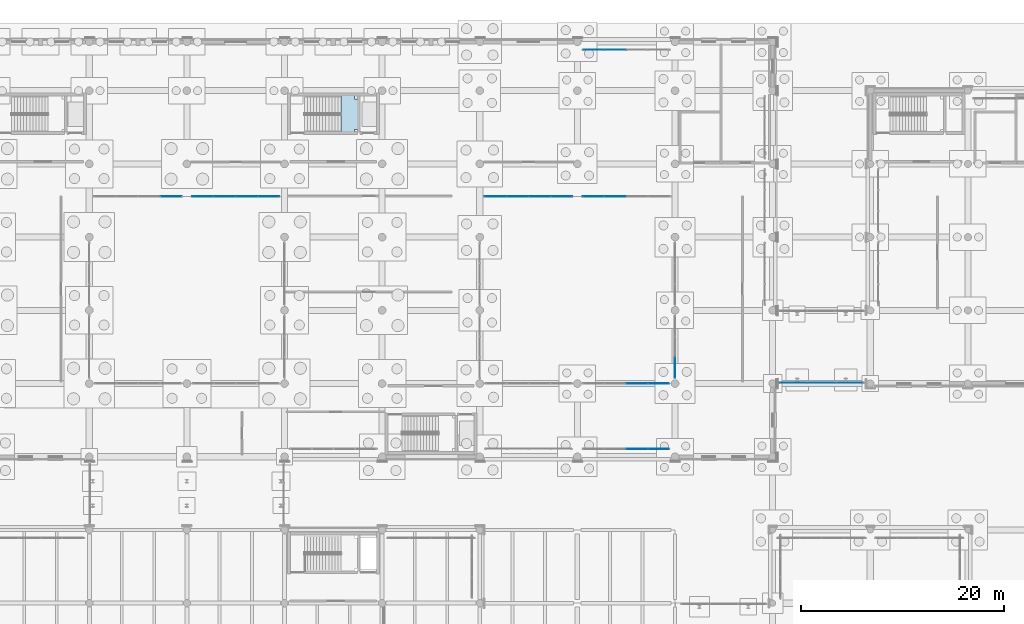
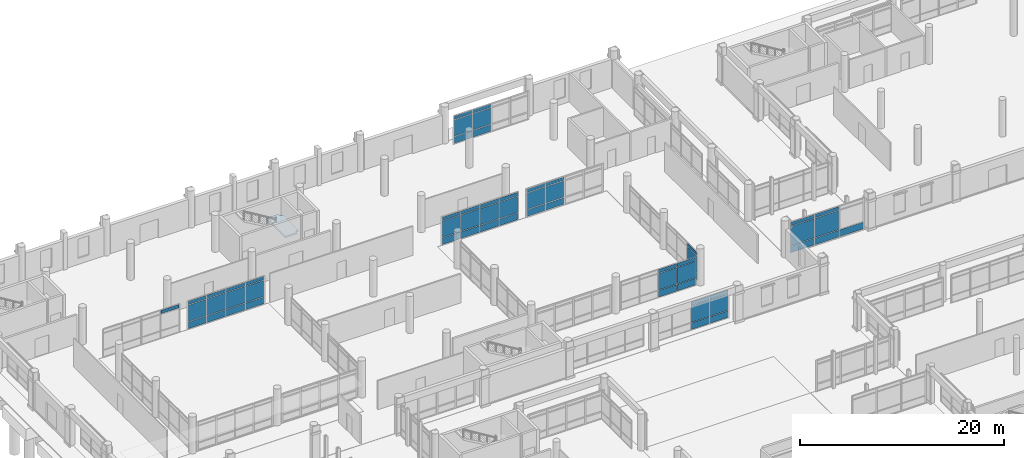
# One storey, part 151 of 196: 59 plates, 1 slab, 10 elements without a shape of their own.
"""IFC4 building model written with IfcOpenShell, lengths in metres."""

from ifc_helpers import new_model, si_unit, direction, frame, origin, origin_2d, place, context, subcontext, project, spatial, polyline, rectangle, outline, extrude, material, layer, layer_set, type_object, element, aggregate, save


model = new_model("IFC4")

# Units and contexts
model_context = context("Model", 3, precision=1e-05, world=origin(), true_north=direction((0.0, 1.0)))
body_context = subcontext(model_context, "Body", "Model", "MODEL_VIEW")
ifc_project = project(units=[si_unit("LENGTHUNIT", "METRE"), si_unit("AREAUNIT", "SQUARE_METRE"), si_unit("VOLUMEUNIT", "CUBIC_METRE"), si_unit("PLANEANGLEUNIT", "RADIAN"), si_unit("MASSUNIT", "GRAM", prefix="KILO")], contexts=[model_context])

# Site, building, storey
site_placement = place(None, origin())
site = spatial("IfcSite", under=ifc_project, at=site_placement, CompositionType="ELEMENT")
building_placement = place(site_placement, origin())
building = spatial("IfcBuilding", under=site, at=building_placement, Name="Asteropetra Specialist Clinic", CompositionType="ELEMENT")
storey_placement = place(building_placement, origin())
storey = spatial("IfcBuildingStorey", under=building, at=storey_placement, Name="L00", CompositionType="ELEMENT", Elevation=0.0)

# Curtain wall, plates
ifc_material_1 = material(Name="Aluminium and low-E glass", Category="aluminium")
ifc_layer_1 = layer(ifc_material_1, 0.179931640625)
ifc_layer_set_1 = layer_set([ifc_layer_1], Name="Aluminium and low-E glass")
curtain_wall_type_1 = type_object("IfcCurtainWallType", Name="CW-SYS-04", PredefinedType="USERDEFINED", material=ifc_layer_set_1)
curtain_wall_1_placement = place(storey_placement, origin())
curtain_wall_1 = element("IfcCurtainWall", 1, at=curtain_wall_1_placement, inside=storey, type_object=curtain_wall_type_1, Name="Curtain Wall CW-004", ObjectType="UNITISED CURTAIN WALL", PredefinedType="USERDEFINED")
ifc_material_2 = material(Name="Low-E double glazing", Category="glass")
ifc_layer_2 = layer(ifc_material_2, 0.028076171875)
ifc_layer_set_2 = layer_set([ifc_layer_2], Name="Low-E double glazing")
plate_type_1 = type_object("IfcPlateType", Name="CWP-GLZ-28", PredefinedType="CURTAIN_PANEL", material=ifc_layer_set_2)
plate_1_placement = place(storey_placement, frame((27.253662109375, 95.199951171875, 0.06494140625), z_axis=(0.0, 0.0, 1.0), x_axis=(-1.0, 0.0, 0.0)))
plate_1 = element("IfcPlate", 2, at=plate_1_placement, type_object=plate_type_1, Name="CW-004 panel 1.1", PredefinedType="CURTAIN_PANEL", context=body_context, shape_type="SweptSolid", body=[
    extrude(rectangle(XDim=2.08251953125, YDim=0.028076171875, at=origin_2d()), origin(), (0.0, 0.0, 1.0), 0.802490234375),
])
plate_2_placement = place(storey_placement, frame((27.253662109375, 95.199951171875, 0.932373046875), z_axis=(0.0, 0.0, 1.0), x_axis=(-1.0, 0.0, 0.0)))
plate_2 = element("IfcPlate", 3, at=plate_2_placement, type_object=plate_type_1, Name="CW-004 panel 1.2", PredefinedType="CURTAIN_PANEL", context=body_context, shape_type="SweptSolid", body=[
    extrude(rectangle(XDim=2.08251953125, YDim=0.028076171875, at=origin_2d()), origin(), (0.0, 0.0, 1.0), 1.955078125),
])
plate_3_placement = place(storey_placement, frame((27.253662109375, 95.199951171875, 2.95263671875), z_axis=(0.0, 0.0, 1.0), x_axis=(-1.0, 0.0, 0.0)))
plate_3 = element("IfcPlate", 4, at=plate_3_placement, type_object=plate_type_1, Name="CW-004 panel 1.3", PredefinedType="CURTAIN_PANEL", context=body_context, shape_type="SweptSolid", body=[
    extrude(rectangle(XDim=2.08251953125, YDim=0.028076171875, at=origin_2d()), origin(), (0.0, 0.0, 1.0), 0.402587890625),
])
plate_4_placement = place(storey_placement, frame((25.090087890625, 95.199951171875, 0.06494140625), z_axis=(0.0, 0.0, 1.0), x_axis=(-1.0, 0.0, 0.0)))
plate_4 = element("IfcPlate", 5, at=plate_4_placement, type_object=plate_type_1, Name="CW-004 panel 2.1", PredefinedType="CURTAIN_PANEL", context=body_context, shape_type="SweptSolid", body=[
    extrude(rectangle(XDim=2.114990234375, YDim=0.028076171875, at=origin_2d()), origin(), (0.0, 0.0, 1.0), 0.802490234375),
])
plate_5_placement = place(storey_placement, frame((25.090087890625, 95.199951171875, 0.932373046875), z_axis=(0.0, 0.0, 1.0), x_axis=(-1.0, 0.0, 0.0)))
plate_5 = element("IfcPlate", 6, at=plate_5_placement, type_object=plate_type_1, Name="CW-004 panel 2.2", PredefinedType="CURTAIN_PANEL", context=body_context, shape_type="SweptSolid", body=[
    extrude(rectangle(XDim=2.114990234375, YDim=0.028076171875, at=origin_2d()), origin(), (0.0, 0.0, 1.0), 1.955078125),
])
plate_6_placement = place(storey_placement, frame((25.090087890625, 95.199951171875, 2.95263671875), z_axis=(0.0, 0.0, 1.0), x_axis=(-1.0, 0.0, 0.0)))
plate_6 = element("IfcPlate", 7, at=plate_6_placement, type_object=plate_type_1, Name="CW-004 panel 2.3", PredefinedType="CURTAIN_PANEL", context=body_context, shape_type="SweptSolid", body=[
    extrude(rectangle(XDim=2.114990234375, YDim=0.028076171875, at=origin_2d()), origin(), (0.0, 0.0, 1.0), 0.402587890625),
])
plate_7_placement = place(storey_placement, frame((22.909912109375, 95.199951171875, 0.06494140625), z_axis=(0.0, 0.0, 1.0), x_axis=(-1.0, 0.0, 0.0)))
plate_7 = element("IfcPlate", 8, at=plate_7_placement, type_object=plate_type_1, Name="CW-004 panel 3.1", PredefinedType="CURTAIN_PANEL", context=body_context, shape_type="SweptSolid", body=[
    extrude(rectangle(XDim=2.114990234375, YDim=0.028076171875, at=origin_2d()), origin(), (0.0, 0.0, 1.0), 0.802490234375),
])
plate_8_placement = place(storey_placement, frame((22.909912109375, 95.199951171875, 0.932373046875), z_axis=(0.0, 0.0, 1.0), x_axis=(-1.0, 0.0, 0.0)))
plate_8 = element("IfcPlate", 9, at=plate_8_placement, type_object=plate_type_1, Name="CW-004 panel 3.2", PredefinedType="CURTAIN_PANEL", context=body_context, shape_type="SweptSolid", body=[
    extrude(rectangle(XDim=2.114990234375, YDim=0.028076171875, at=origin_2d()), origin(), (0.0, 0.0, 1.0), 1.955078125),
])
plate_9_placement = place(storey_placement, frame((22.909912109375, 95.199951171875, 2.95263671875), z_axis=(0.0, 0.0, 1.0), x_axis=(-1.0, 0.0, 0.0)))
plate_9 = element("IfcPlate", 10, at=plate_9_placement, type_object=plate_type_1, Name="CW-004 panel 3.3", PredefinedType="CURTAIN_PANEL", context=body_context, shape_type="SweptSolid", body=[
    extrude(rectangle(XDim=2.114990234375, YDim=0.028076171875, at=origin_2d()), origin(), (0.0, 0.0, 1.0), 0.402587890625),
])
plate_10_placement = place(storey_placement, frame((20.746337890625, 95.199951171875, 0.06494140625), z_axis=(0.0, 0.0, 1.0), x_axis=(-1.0, 0.0, 0.0)))
plate_10 = element("IfcPlate", 11, at=plate_10_placement, type_object=plate_type_1, Name="CW-004 panel 4.1", PredefinedType="CURTAIN_PANEL", context=body_context, shape_type="SweptSolid", body=[
    extrude(rectangle(XDim=2.08251953125, YDim=0.028076171875, at=origin_2d()), origin(), (0.0, 0.0, 1.0), 0.802490234375),
])
plate_11_placement = place(storey_placement, frame((20.746337890625, 95.199951171875, 0.932373046875), z_axis=(0.0, 0.0, 1.0), x_axis=(-1.0, 0.0, 0.0)))
plate_11 = element("IfcPlate", 12, at=plate_11_placement, type_object=plate_type_1, Name="CW-004 panel 4.2", PredefinedType="CURTAIN_PANEL", context=body_context, shape_type="SweptSolid", body=[
    extrude(rectangle(XDim=2.08251953125, YDim=0.028076171875, at=origin_2d()), origin(), (0.0, 0.0, 1.0), 1.955078125),
])
plate_12_placement = place(storey_placement, frame((20.746337890625, 95.199951171875, 2.95263671875), z_axis=(0.0, 0.0, 1.0), x_axis=(-1.0, 0.0, 0.0)))
plate_12 = element("IfcPlate", 13, at=plate_12_placement, type_object=plate_type_1, Name="CW-004 panel 4.3", PredefinedType="CURTAIN_PANEL", context=body_context, shape_type="SweptSolid", body=[
    extrude(rectangle(XDim=2.08251953125, YDim=0.028076171875, at=origin_2d()), origin(), (0.0, 0.0, 1.0), 0.402587890625),
])
aggregate(curtain_wall_1, [plate_1, plate_2, plate_3, plate_4, plate_5, plate_6, plate_7, plate_8, plate_9, plate_10, plate_11, plate_12])

ifc_material_3 = material(Name="Aluminium and low-E glass", Category="aluminium")
ifc_layer_3 = layer(ifc_material_3, 0.14990234375)
ifc_layer_set_3 = layer_set([ifc_layer_3], Name="Aluminium and low-E glass")
curtain_wall_type_2 = type_object("IfcCurtainWallType", Name="CW-SYS-05", PredefinedType="USERDEFINED", material=ifc_layer_set_3)
curtain_wall_2_placement = place(storey_placement, origin())
curtain_wall_2 = element("IfcCurtainWall", 14, at=curtain_wall_2_placement, inside=storey, type_object=curtain_wall_type_2, Name="Curtain Wall CW-012", ObjectType="UNITISED CURTAIN WALL", PredefinedType="USERDEFINED")
plate_13_placement = place(storey_placement, frame((61.31005859375, 95.199951171875, 0.074951171875), z_axis=(0.0, 0.0, 1.0), x_axis=(-1.0, 0.0, 0.0)))
plate_13 = element("IfcPlate", 15, at=plate_13_placement, type_object=plate_type_1, Name="CW-012 panel 3.1", PredefinedType="CURTAIN_PANEL", context=body_context, shape_type="SweptSolid", body=[
    extrude(rectangle(XDim=2.10498046875, YDim=0.028076171875, at=origin_2d()), origin(), (0.0, 0.0, 1.0), 0.78759765625),
])
plate_14_placement = place(storey_placement, frame((61.31005859375, 95.199951171875, 0.9375), z_axis=(0.0, 0.0, 1.0), x_axis=(-1.0, 0.0, 0.0)))
plate_14 = element("IfcPlate", 16, at=plate_14_placement, type_object=plate_type_1, Name="CW-012 panel 3.2", PredefinedType="CURTAIN_PANEL", context=body_context, shape_type="SweptSolid", body=[
    extrude(rectangle(XDim=2.10498046875, YDim=0.028076171875, at=origin_2d()), origin(), (0.0, 0.0, 1.0), 1.945068359375),
])
plate_15_placement = place(storey_placement, frame((61.31005859375, 95.199951171875, 2.95751953125), z_axis=(0.0, 0.0, 1.0), x_axis=(-1.0, 0.0, 0.0)))
plate_15 = element("IfcPlate", 17, at=plate_15_placement, type_object=plate_type_1, Name="CW-012 panel 3.3", PredefinedType="CURTAIN_PANEL", context=body_context, shape_type="SweptSolid", body=[
    extrude(rectangle(XDim=2.10498046875, YDim=0.028076171875, at=origin_2d()), origin(), (0.0, 0.0, 1.0), 0.387451171875),
])
plate_16_placement = place(storey_placement, frame((59.148681640625, 95.199951171875, 0.074951171875), z_axis=(0.0, 0.0, 1.0), x_axis=(-1.0, 0.0, 0.0)))
plate_16 = element("IfcPlate", 18, at=plate_16_placement, type_object=plate_type_1, Name="CW-012 panel 4.1", PredefinedType="CURTAIN_PANEL", context=body_context, shape_type="SweptSolid", body=[
    extrude(rectangle(XDim=2.0673828125, YDim=0.028076171875, at=origin_2d()), origin(), (0.0, 0.0, 1.0), 0.78759765625),
])
plate_17_placement = place(storey_placement, frame((59.148681640625, 95.199951171875, 0.9375), z_axis=(0.0, 0.0, 1.0), x_axis=(-1.0, 0.0, 0.0)))
plate_17 = element("IfcPlate", 19, at=plate_17_placement, type_object=plate_type_1, Name="CW-012 panel 4.2", PredefinedType="CURTAIN_PANEL", context=body_context, shape_type="SweptSolid", body=[
    extrude(rectangle(XDim=2.0673828125, YDim=0.028076171875, at=origin_2d()), origin(), (0.0, 0.0, 1.0), 1.945068359375),
])
plate_18_placement = place(storey_placement, frame((59.148681640625, 95.199951171875, 2.95751953125), z_axis=(0.0, 0.0, 1.0), x_axis=(-1.0, 0.0, 0.0)))
plate_18 = element("IfcPlate", 20, at=plate_18_placement, type_object=plate_type_1, Name="CW-012 panel 4.3", PredefinedType="CURTAIN_PANEL", context=body_context, shape_type="SweptSolid", body=[
    extrude(rectangle(XDim=2.0673828125, YDim=0.028076171875, at=origin_2d()), origin(), (0.0, 0.0, 1.0), 0.387451171875),
])
aggregate(curtain_wall_2, [plate_13, plate_14, plate_15, plate_16, plate_17, plate_18])

ifc_material_4 = material(Name="Aluminium and low-E glass", Category="aluminium")
ifc_layer_4 = layer(ifc_material_4, 0.179931640625)
ifc_layer_set_4 = layer_set([ifc_layer_4], Name="Aluminium and low-E glass")
curtain_wall_type_3 = type_object("IfcCurtainWallType", Name="CW-SYS-01", PredefinedType="USERDEFINED", material=ifc_layer_set_4)
curtain_wall_3_placement = place(storey_placement, origin())
curtain_wall_3 = element("IfcCurtainWall", 21, at=curtain_wall_3_placement, inside=storey, type_object=curtain_wall_type_3, Name="Curtain Wall CW-109", ObjectType="UNITISED CURTAIN WALL", PredefinedType="USERDEFINED")
ifc_material_5 = material(Name="Low-E acoustic double glazing", Category="glass")
ifc_layer_5 = layer(ifc_material_5, 0.031982421875)
ifc_layer_set_5 = layer_set([ifc_layer_5], Name="Low-E acoustic double glazing")
plate_type_2 = type_object("IfcPlateType", Name="CWP-GLZ-32", PredefinedType="CURTAIN_PANEL", material=ifc_layer_set_5)
plate_19_placement = place(storey_placement, frame((78.822998046875, 76.8798828125, 0.06494140625), z_axis=(0.0, 0.0, 1.0), x_axis=(1.0, 0.0, 0.0)))
plate_19 = element("IfcPlate", 22, at=plate_19_placement, type_object=plate_type_2, Name="CW-109 panel 1.1", PredefinedType="CURTAIN_PANEL", context=body_context, shape_type="SweptSolid", body=[
    extrude(rectangle(XDim=2.69580078125, YDim=0.031982421875, at=origin_2d()), origin(), (0.0, 0.0, 1.0), 0.802490234375),
])
plate_20_placement = place(storey_placement, frame((78.822998046875, 76.8798828125, 0.9326171875), z_axis=(0.0, 0.0, 1.0), x_axis=(1.0, 0.0, 0.0)))
plate_20 = element("IfcPlate", 23, at=plate_20_placement, type_object=plate_type_2, Name="CW-109 panel 1.2", PredefinedType="CURTAIN_PANEL", context=body_context, shape_type="SweptSolid", body=[
    extrude(rectangle(XDim=2.69580078125, YDim=0.031982421875, at=origin_2d()), origin(), (0.0, 0.0, 1.0), 2.304931640625),
])
plate_21_placement = place(storey_placement, frame((78.822998046875, 76.8798828125, 3.30224609375), z_axis=(0.0, 0.0, 1.0), x_axis=(1.0, 0.0, 0.0)))
plate_21 = element("IfcPlate", 24, at=plate_21_placement, type_object=plate_type_2, Name="CW-109 panel 1.3", PredefinedType="CURTAIN_PANEL", context=body_context, shape_type="SweptSolid", body=[
    extrude(rectangle(XDim=2.69580078125, YDim=0.031982421875, at=origin_2d()), origin(), (0.0, 0.0, 1.0), 0.402587890625),
])
plate_22_placement = place(storey_placement, frame((81.60009765625, 76.8798828125, 0.06494140625), z_axis=(0.0, 0.0, 1.0), x_axis=(1.0, 0.0, 0.0)))
plate_22 = element("IfcPlate", 25, at=plate_22_placement, type_object=plate_type_2, Name="CW-109 panel 2.1", PredefinedType="CURTAIN_PANEL", context=body_context, shape_type="SweptSolid", body=[
    extrude(rectangle(XDim=2.728271484375, YDim=0.031982421875, at=origin_2d()), origin(), (0.0, 0.0, 1.0), 0.802490234375),
])
plate_23_placement = place(storey_placement, frame((81.60009765625, 76.8798828125, 0.9326171875), z_axis=(0.0, 0.0, 1.0), x_axis=(1.0, 0.0, 0.0)))
plate_23 = element("IfcPlate", 26, at=plate_23_placement, type_object=plate_type_2, Name="CW-109 panel 2.2", PredefinedType="CURTAIN_PANEL", context=body_context, shape_type="SweptSolid", body=[
    extrude(rectangle(XDim=2.728271484375, YDim=0.031982421875, at=origin_2d()), origin(), (0.0, 0.0, 1.0), 2.304931640625),
])
plate_24_placement = place(storey_placement, frame((81.60009765625, 76.8798828125, 3.30224609375), z_axis=(0.0, 0.0, 1.0), x_axis=(1.0, 0.0, 0.0)))
plate_24 = element("IfcPlate", 27, at=plate_24_placement, type_object=plate_type_2, Name="CW-109 panel 2.3", PredefinedType="CURTAIN_PANEL", context=body_context, shape_type="SweptSolid", body=[
    extrude(rectangle(XDim=2.728271484375, YDim=0.031982421875, at=origin_2d()), origin(), (0.0, 0.0, 1.0), 0.402587890625),
])
plate_25_placement = place(storey_placement, frame((84.377197265625, 76.8798828125, 0.06494140625), z_axis=(0.0, 0.0, 1.0), x_axis=(1.0, 0.0, 0.0)))
plate_25 = element("IfcPlate", 28, at=plate_25_placement, type_object=plate_type_2, Name="CW-109 panel 3.1", PredefinedType="CURTAIN_PANEL", context=body_context, shape_type="SweptSolid", body=[
    extrude(rectangle(XDim=2.69580078125, YDim=0.031982421875, at=origin_2d()), origin(), (0.0, 0.0, 1.0), 0.802490234375),
])
aggregate(curtain_wall_3, [plate_19, plate_20, plate_21, plate_22, plate_23, plate_24, plate_25])

ifc_material_6 = material(Name="Aluminium and low-E glass", Category="aluminium")
ifc_layer_6 = layer(ifc_material_6, 0.179931640625)
ifc_layer_set_6 = layer_set([ifc_layer_6], Name="Aluminium and low-E glass")
curtain_wall_type_4 = type_object("IfcCurtainWallType", Name="CW-SYS-10", PredefinedType="USERDEFINED", material=ifc_layer_set_6)
curtain_wall_4_placement = place(storey_placement, origin())
curtain_wall_4 = element("IfcCurtainWall", 29, at=curtain_wall_4_placement, inside=storey, type_object=curtain_wall_type_4, Name="Curtain Wall CW-185", ObjectType="STICK GLAZED COLONNADE", PredefinedType="USERDEFINED")
plate_26_placement = place(storey_placement, frame((63.46630859375, 70.3798828125, 0.06005859375), z_axis=(0.0, 0.0, 1.0), x_axis=(1.0, 0.0, 0.0)))
plate_26 = element("IfcPlate", 30, at=plate_26_placement, type_object=plate_type_2, Name="CW-185 panel 3.1", PredefinedType="CURTAIN_PANEL", context=body_context, shape_type="SweptSolid", body=[
    extrude(rectangle(XDim=2.072509765625, YDim=0.031982421875, at=origin_2d()), origin(), (0.0, 0.0, 1.0), 0.81005859375),
])
plate_27_placement = place(storey_placement, frame((63.46630859375, 70.3798828125, 0.929931640625), z_axis=(0.0, 0.0, 1.0), x_axis=(1.0, 0.0, 0.0)))
plate_27 = element("IfcPlate", 31, at=plate_27_placement, type_object=plate_type_2, Name="CW-185 panel 3.2", PredefinedType="CURTAIN_PANEL", context=body_context, shape_type="SweptSolid", body=[
    extrude(rectangle(XDim=2.072509765625, YDim=0.031982421875, at=origin_2d()), origin(), (0.0, 0.0, 1.0), 1.9599609375),
])
plate_28_placement = place(storey_placement, frame((63.46630859375, 70.3798828125, 2.9501953125), z_axis=(0.0, 0.0, 1.0), x_axis=(1.0, 0.0, 0.0)))
plate_28 = element("IfcPlate", 32, at=plate_28_placement, type_object=plate_type_2, Name="CW-185 panel 3.3", PredefinedType="CURTAIN_PANEL", context=body_context, shape_type="SweptSolid", body=[
    extrude(rectangle(XDim=2.072509765625, YDim=0.031982421875, at=origin_2d()), origin(), (0.0, 0.0, 1.0), 0.409912109375),
])
plate_29_placement = place(storey_placement, frame((65.583740234375, 70.3798828125, 0.06005859375), z_axis=(0.0, 0.0, 1.0), x_axis=(1.0, 0.0, 0.0)))
plate_29 = element("IfcPlate", 33, at=plate_29_placement, type_object=plate_type_2, Name="CW-185 panel 4.1", PredefinedType="CURTAIN_PANEL", context=body_context, shape_type="SweptSolid", body=[
    extrude(rectangle(XDim=2.04248046875, YDim=0.031982421875, at=origin_2d()), origin(), (0.0, 0.0, 1.0), 0.81005859375),
])
plate_30_placement = place(storey_placement, frame((65.583740234375, 70.3798828125, 0.929931640625), z_axis=(0.0, 0.0, 1.0), x_axis=(1.0, 0.0, 0.0)))
plate_30 = element("IfcPlate", 34, at=plate_30_placement, type_object=plate_type_2, Name="CW-185 panel 4.2", PredefinedType="CURTAIN_PANEL", context=body_context, shape_type="SweptSolid", body=[
    extrude(rectangle(XDim=2.04248046875, YDim=0.031982421875, at=origin_2d()), origin(), (0.0, 0.0, 1.0), 1.9599609375),
])
plate_31_placement = place(storey_placement, frame((65.583740234375, 70.3798828125, 2.9501953125), z_axis=(0.0, 0.0, 1.0), x_axis=(1.0, 0.0, 0.0)))
plate_31 = element("IfcPlate", 35, at=plate_31_placement, type_object=plate_type_2, Name="CW-185 panel 4.3", PredefinedType="CURTAIN_PANEL", context=body_context, shape_type="SweptSolid", body=[
    extrude(rectangle(XDim=2.04248046875, YDim=0.031982421875, at=origin_2d()), origin(), (0.0, 0.0, 1.0), 0.409912109375),
])
aggregate(curtain_wall_4, [plate_26, plate_27, plate_28, plate_29, plate_30, plate_31])

# Curtain wall, plate
ifc_material_7 = material(Name="Aluminium and low-E glass", Category="aluminium")
ifc_layer_7 = layer(ifc_material_7, 0.135009765625)
ifc_layer_set_7 = layer_set([ifc_layer_7], Name="Aluminium and low-E glass")
curtain_wall_type_5 = type_object("IfcCurtainWallType", Name="CW-SYS-03", PredefinedType="USERDEFINED", material=ifc_layer_set_7)
curtain_wall_5_placement = place(storey_placement, origin())
curtain_wall_5 = element("IfcCurtainWall", 36, at=curtain_wall_5_placement, inside=storey, type_object=curtain_wall_type_5, Name="Curtain Wall CW-002", ObjectType="UNITISED CURTAIN WALL", PredefinedType="USERDEFINED")
ifc_material_8 = material(Name="Solar-control triple glazing", Category="glass")
ifc_layer_8 = layer(ifc_material_8, 0.035888671875)
ifc_layer_set_8 = layer_set([ifc_layer_8], Name="Solar-control triple glazing")
plate_type_3 = type_object("IfcPlateType", Name="CWP-GLZ-36", PredefinedType="CURTAIN_PANEL", material=ifc_layer_set_8)
plate_32_placement = place(storey_placement, frame((17.655029296875, 95.199951171875, 2.9501953125), z_axis=(0.0, 0.0, 1.0), x_axis=(-1.0, 0.0, 0.0)))
plate_32 = element("IfcPlate", 37, at=plate_32_placement, type_object=plate_type_3, Name="CW-002 panel 1.3", PredefinedType="CURTAIN_PANEL", context=body_context, shape_type="SweptSolid", body=[
    extrude(rectangle(XDim=2.090087890625, YDim=0.035888671875, at=origin_2d()), origin(), (0.0, 0.0, 1.0), 0.409912109375),
])
aggregate(curtain_wall_5, [plate_32])

# Curtain wall, plates
curtain_wall_6_placement = place(storey_placement, origin())
curtain_wall_6 = element("IfcCurtainWall", 38, at=curtain_wall_6_placement, inside=storey, type_object=curtain_wall_type_1, Name="Curtain Wall CW-010", ObjectType="UNITISED CURTAIN WALL", PredefinedType="USERDEFINED")
plate_33_placement = place(storey_placement, frame((56.0537109375, 95.199951171875, 0.06494140625), z_axis=(0.0, 0.0, 1.0), x_axis=(-1.0, 0.0, 0.0)))
plate_33 = element("IfcPlate", 39, at=plate_33_placement, type_object=plate_type_3, Name="CW-010 panel 1.1", PredefinedType="CURTAIN_PANEL", context=body_context, shape_type="SweptSolid", body=[
    extrude(rectangle(XDim=2.08251953125, YDim=0.035888671875, at=origin_2d()), origin(), (0.0, 0.0, 1.0), 0.802490234375),
])
plate_34_placement = place(storey_placement, frame((56.0537109375, 95.199951171875, 0.932373046875), z_axis=(0.0, 0.0, 1.0), x_axis=(-1.0, 0.0, 0.0)))
plate_34 = element("IfcPlate", 40, at=plate_34_placement, type_object=plate_type_3, Name="CW-010 panel 1.2", PredefinedType="CURTAIN_PANEL", context=body_context, shape_type="SweptSolid", body=[
    extrude(rectangle(XDim=2.08251953125, YDim=0.035888671875, at=origin_2d()), origin(), (0.0, 0.0, 1.0), 1.955078125),
])
plate_35_placement = place(storey_placement, frame((56.0537109375, 95.199951171875, 2.95263671875), z_axis=(0.0, 0.0, 1.0), x_axis=(-1.0, 0.0, 0.0)))
plate_35 = element("IfcPlate", 41, at=plate_35_placement, type_object=plate_type_3, Name="CW-010 panel 1.3", PredefinedType="CURTAIN_PANEL", context=body_context, shape_type="SweptSolid", body=[
    extrude(rectangle(XDim=2.08251953125, YDim=0.035888671875, at=origin_2d()), origin(), (0.0, 0.0, 1.0), 0.402587890625),
])
plate_36_placement = place(storey_placement, frame((53.889892578125, 95.199951171875, 0.06494140625), z_axis=(0.0, 0.0, 1.0), x_axis=(-1.0, 0.0, 0.0)))
plate_36 = element("IfcPlate", 42, at=plate_36_placement, type_object=plate_type_3, Name="CW-010 panel 2.1", PredefinedType="CURTAIN_PANEL", context=body_context, shape_type="SweptSolid", body=[
    extrude(rectangle(XDim=2.114990234375, YDim=0.035888671875, at=origin_2d()), origin(), (0.0, 0.0, 1.0), 0.802490234375),
])
plate_37_placement = place(storey_placement, frame((53.889892578125, 95.199951171875, 0.932373046875), z_axis=(0.0, 0.0, 1.0), x_axis=(-1.0, 0.0, 0.0)))
plate_37 = element("IfcPlate", 43, at=plate_37_placement, type_object=plate_type_3, Name="CW-010 panel 2.2", PredefinedType="CURTAIN_PANEL", context=body_context, shape_type="SweptSolid", body=[
    extrude(rectangle(XDim=2.114990234375, YDim=0.035888671875, at=origin_2d()), origin(), (0.0, 0.0, 1.0), 1.955078125),
])
plate_38_placement = place(storey_placement, frame((53.889892578125, 95.199951171875, 2.95263671875), z_axis=(0.0, 0.0, 1.0), x_axis=(-1.0, 0.0, 0.0)))
plate_38 = element("IfcPlate", 44, at=plate_38_placement, type_object=plate_type_3, Name="CW-010 panel 2.3", PredefinedType="CURTAIN_PANEL", context=body_context, shape_type="SweptSolid", body=[
    extrude(rectangle(XDim=2.114990234375, YDim=0.035888671875, at=origin_2d()), origin(), (0.0, 0.0, 1.0), 0.402587890625),
])
plate_39_placement = place(storey_placement, frame((51.7099609375, 95.199951171875, 0.06494140625), z_axis=(0.0, 0.0, 1.0), x_axis=(-1.0, 0.0, 0.0)))
plate_39 = element("IfcPlate", 45, at=plate_39_placement, type_object=plate_type_3, Name="CW-010 panel 3.1", PredefinedType="CURTAIN_PANEL", context=body_context, shape_type="SweptSolid", body=[
    extrude(rectangle(XDim=2.114990234375, YDim=0.035888671875, at=origin_2d()), origin(), (0.0, 0.0, 1.0), 0.802490234375),
])
plate_40_placement = place(storey_placement, frame((51.7099609375, 95.199951171875, 0.932373046875), z_axis=(0.0, 0.0, 1.0), x_axis=(-1.0, 0.0, 0.0)))
plate_40 = element("IfcPlate", 46, at=plate_40_placement, type_object=plate_type_3, Name="CW-010 panel 3.2", PredefinedType="CURTAIN_PANEL", context=body_context, shape_type="SweptSolid", body=[
    extrude(rectangle(XDim=2.114990234375, YDim=0.035888671875, at=origin_2d()), origin(), (0.0, 0.0, 1.0), 1.955078125),
])
plate_41_placement = place(storey_placement, frame((51.7099609375, 95.199951171875, 2.95263671875), z_axis=(0.0, 0.0, 1.0), x_axis=(-1.0, 0.0, 0.0)))
plate_41 = element("IfcPlate", 47, at=plate_41_placement, type_object=plate_type_3, Name="CW-010 panel 3.3", PredefinedType="CURTAIN_PANEL", context=body_context, shape_type="SweptSolid", body=[
    extrude(rectangle(XDim=2.114990234375, YDim=0.035888671875, at=origin_2d()), origin(), (0.0, 0.0, 1.0), 0.402587890625),
])
plate_42_placement = place(storey_placement, frame((49.546142578125, 95.199951171875, 0.06494140625), z_axis=(0.0, 0.0, 1.0), x_axis=(-1.0, 0.0, 0.0)))
plate_42 = element("IfcPlate", 48, at=plate_42_placement, type_object=plate_type_3, Name="CW-010 panel 4.1", PredefinedType="CURTAIN_PANEL", context=body_context, shape_type="SweptSolid", body=[
    extrude(rectangle(XDim=2.08251953125, YDim=0.035888671875, at=origin_2d()), origin(), (0.0, 0.0, 1.0), 0.802490234375),
])
plate_43_placement = place(storey_placement, frame((49.546142578125, 95.199951171875, 0.932373046875), z_axis=(0.0, 0.0, 1.0), x_axis=(-1.0, 0.0, 0.0)))
plate_43 = element("IfcPlate", 49, at=plate_43_placement, type_object=plate_type_3, Name="CW-010 panel 4.2", PredefinedType="CURTAIN_PANEL", context=body_context, shape_type="SweptSolid", body=[
    extrude(rectangle(XDim=2.08251953125, YDim=0.035888671875, at=origin_2d()), origin(), (0.0, 0.0, 1.0), 1.955078125),
])
plate_44_placement = place(storey_placement, frame((49.546142578125, 95.199951171875, 2.95263671875), z_axis=(0.0, 0.0, 1.0), x_axis=(-1.0, 0.0, 0.0)))
plate_44 = element("IfcPlate", 50, at=plate_44_placement, type_object=plate_type_3, Name="CW-010 panel 4.3", PredefinedType="CURTAIN_PANEL", context=body_context, shape_type="SweptSolid", body=[
    extrude(rectangle(XDim=2.08251953125, YDim=0.035888671875, at=origin_2d()), origin(), (0.0, 0.0, 1.0), 0.402587890625),
])
aggregate(curtain_wall_6, [plate_33, plate_34, plate_35, plate_36, plate_37, plate_38, plate_39, plate_40, plate_41, plate_42, plate_43, plate_44])

ifc_material_9 = material(Name="Aluminium and low-E glass", Category="aluminium")
ifc_layer_9 = layer(ifc_material_9, 0.135009765625)
ifc_layer_set_9 = layer_set([ifc_layer_9], Name="Aluminium and low-E glass")
curtain_wall_type_6 = type_object("IfcCurtainWallType", Name="CW-SYS-06", PredefinedType="USERDEFINED", material=ifc_layer_set_9)
curtain_wall_7_placement = place(storey_placement, origin())
curtain_wall_7 = element("IfcCurtainWall", 51, at=curtain_wall_7_placement, inside=storey, type_object=curtain_wall_type_6, Name="Curtain Wall CW-014", ObjectType="UNITISED CURTAIN WALL", PredefinedType="USERDEFINED")
plate_45_placement = place(storey_placement, frame((67.199951171875, 78.37158203125, 0.06005859375), z_axis=(0.0, 0.0, 1.0), x_axis=(0.0, 1.0, 0.0)))
plate_45 = element("IfcPlate", 52, at=plate_45_placement, type_object=plate_type_3, Name="CW-014 panel 1.1", PredefinedType="CURTAIN_PANEL", context=body_context, shape_type="SweptSolid", body=[
    extrude(rectangle(XDim=1.953369140625, YDim=0.035888671875, at=origin_2d()), origin(), (0.0, 0.0, 1.0), 0.81005859375),
])
plate_46_placement = place(storey_placement, frame((67.199951171875, 78.37158203125, 0.929931640625), z_axis=(0.0, 0.0, 1.0), x_axis=(0.0, 1.0, 0.0)))
plate_46 = element("IfcPlate", 53, at=plate_46_placement, type_object=plate_type_3, Name="CW-014 panel 1.2", PredefinedType="CURTAIN_PANEL", context=body_context, shape_type="SweptSolid", body=[
    extrude(rectangle(XDim=1.953369140625, YDim=0.035888671875, at=origin_2d()), origin(), (0.0, 0.0, 1.0), 1.9599609375),
])
plate_47_placement = place(storey_placement, frame((67.199951171875, 78.37158203125, 2.9501953125), z_axis=(0.0, 0.0, 1.0), x_axis=(0.0, 1.0, 0.0)))
plate_47 = element("IfcPlate", 54, at=plate_47_placement, type_object=plate_type_3, Name="CW-014 panel 1.3", PredefinedType="CURTAIN_PANEL", context=body_context, shape_type="SweptSolid", body=[
    extrude(rectangle(XDim=1.953369140625, YDim=0.035888671875, at=origin_2d()), origin(), (0.0, 0.0, 1.0), 0.409912109375),
])
aggregate(curtain_wall_7, [plate_45, plate_46, plate_47])

curtain_wall_8_placement = place(storey_placement, origin())
curtain_wall_8 = element("IfcCurtainWall", 55, at=curtain_wall_8_placement, inside=storey, type_object=curtain_wall_type_4, Name="Curtain Wall CW-186", ObjectType="STICK GLAZED COLONNADE", PredefinedType="USERDEFINED")
plate_48_placement = place(storey_placement, frame((61.333740234375, 109.6201171875, 0.074951171875), z_axis=(0.0, 0.0, 1.0), x_axis=(-1.0, 0.0, 0.0)))
plate_48 = element("IfcPlate", 56, at=plate_48_placement, type_object=plate_type_3, Name="CW-186 panel 3.1", PredefinedType="CURTAIN_PANEL", context=body_context, shape_type="SweptSolid", body=[
    extrude(rectangle(XDim=2.0576171875, YDim=0.035888671875, at=origin_2d()), origin(), (0.0, 0.0, 1.0), 0.78759765625),
])
plate_49_placement = place(storey_placement, frame((61.333740234375, 109.6201171875, 0.9375), z_axis=(0.0, 0.0, 1.0), x_axis=(-1.0, 0.0, 0.0)))
plate_49 = element("IfcPlate", 57, at=plate_49_placement, type_object=plate_type_3, Name="CW-186 panel 3.2", PredefinedType="CURTAIN_PANEL", context=body_context, shape_type="SweptSolid", body=[
    extrude(rectangle(XDim=2.0576171875, YDim=0.035888671875, at=origin_2d()), origin(), (0.0, 0.0, 1.0), 1.945068359375),
])
plate_50_placement = place(storey_placement, frame((61.333740234375, 109.6201171875, 2.95751953125), z_axis=(0.0, 0.0, 1.0), x_axis=(-1.0, 0.0, 0.0)))
plate_50 = element("IfcPlate", 58, at=plate_50_placement, type_object=plate_type_3, Name="CW-186 panel 3.3", PredefinedType="CURTAIN_PANEL", context=body_context, shape_type="SweptSolid", body=[
    extrude(rectangle(XDim=2.0576171875, YDim=0.035888671875, at=origin_2d()), origin(), (0.0, 0.0, 1.0), 0.387451171875),
])
plate_51_placement = place(storey_placement, frame((59.219970703125, 109.6201171875, 0.074951171875), z_axis=(0.0, 0.0, 1.0), x_axis=(-1.0, 0.0, 0.0)))
plate_51 = element("IfcPlate", 59, at=plate_51_placement, type_object=plate_type_3, Name="CW-186 panel 4.1", PredefinedType="CURTAIN_PANEL", context=body_context, shape_type="SweptSolid", body=[
    extrude(rectangle(XDim=2.02001953125, YDim=0.035888671875, at=origin_2d()), origin(), (0.0, 0.0, 1.0), 0.78759765625),
])
plate_52_placement = place(storey_placement, frame((59.219970703125, 109.6201171875, 0.9375), z_axis=(0.0, 0.0, 1.0), x_axis=(-1.0, 0.0, 0.0)))
plate_52 = element("IfcPlate", 60, at=plate_52_placement, type_object=plate_type_3, Name="CW-186 panel 4.2", PredefinedType="CURTAIN_PANEL", context=body_context, shape_type="SweptSolid", body=[
    extrude(rectangle(XDim=2.02001953125, YDim=0.035888671875, at=origin_2d()), origin(), (0.0, 0.0, 1.0), 1.945068359375),
])
plate_53_placement = place(storey_placement, frame((59.219970703125, 109.6201171875, 2.95751953125), z_axis=(0.0, 0.0, 1.0), x_axis=(-1.0, 0.0, 0.0)))
plate_53 = element("IfcPlate", 61, at=plate_53_placement, type_object=plate_type_3, Name="CW-186 panel 4.3", PredefinedType="CURTAIN_PANEL", context=body_context, shape_type="SweptSolid", body=[
    extrude(rectangle(XDim=2.02001953125, YDim=0.035888671875, at=origin_2d()), origin(), (0.0, 0.0, 1.0), 0.387451171875),
])
aggregate(curtain_wall_8, [plate_48, plate_49, plate_50, plate_51, plate_52, plate_53])

curtain_wall_9_placement = place(storey_placement, origin())
curtain_wall_9 = element("IfcCurtainWall", 62, at=curtain_wall_9_placement, inside=storey, type_object=curtain_wall_type_1, Name="Curtain Wall CW-011", ObjectType="UNITISED CURTAIN WALL", PredefinedType="USERDEFINED")
ifc_material_10 = material(Name="Laminated skylight glazing", Category="glass")
ifc_layer_10 = layer(ifc_material_10, 0.0400390625)
ifc_layer_set_10 = layer_set([ifc_layer_10], Name="Laminated skylight glazing")
plate_type_4 = type_object("IfcPlateType", Name="CWP-GLZ-40", PredefinedType="CURTAIN_PANEL", material=ifc_layer_set_10)
plate_54_placement = place(storey_placement, frame((63.46630859375, 76.800048828125, 0.06005859375), z_axis=(0.0, 0.0, 1.0), x_axis=(1.0, 0.0, 0.0)))
plate_54 = element("IfcPlate", 63, at=plate_54_placement, type_object=plate_type_4, Name="CW-011 panel 3.1", PredefinedType="CURTAIN_PANEL", context=body_context, shape_type="SweptSolid", body=[
    extrude(rectangle(XDim=2.072509765625, YDim=0.0400390625, at=origin_2d()), origin(), (0.0, 0.0, 1.0), 0.81005859375),
])
plate_55_placement = place(storey_placement, frame((63.46630859375, 76.800048828125, 0.929931640625), z_axis=(0.0, 0.0, 1.0), x_axis=(1.0, 0.0, 0.0)))
plate_55 = element("IfcPlate", 64, at=plate_55_placement, type_object=plate_type_4, Name="CW-011 panel 3.2", PredefinedType="CURTAIN_PANEL", context=body_context, shape_type="SweptSolid", body=[
    extrude(rectangle(XDim=2.072509765625, YDim=0.0400390625, at=origin_2d()), origin(), (0.0, 0.0, 1.0), 1.9599609375),
])
plate_56_placement = place(storey_placement, frame((63.46630859375, 76.800048828125, 2.9501953125), z_axis=(0.0, 0.0, 1.0), x_axis=(1.0, 0.0, 0.0)))
plate_56 = element("IfcPlate", 65, at=plate_56_placement, type_object=plate_type_4, Name="CW-011 panel 3.3", PredefinedType="CURTAIN_PANEL", context=body_context, shape_type="SweptSolid", body=[
    extrude(rectangle(XDim=2.072509765625, YDim=0.0400390625, at=origin_2d()), origin(), (0.0, 0.0, 1.0), 0.409912109375),
])
plate_57_placement = place(storey_placement, frame((65.583740234375, 76.800048828125, 0.06005859375), z_axis=(0.0, 0.0, 1.0), x_axis=(1.0, 0.0, 0.0)))
plate_57 = element("IfcPlate", 66, at=plate_57_placement, type_object=plate_type_4, Name="CW-011 panel 4.1", PredefinedType="CURTAIN_PANEL", context=body_context, shape_type="SweptSolid", body=[
    extrude(rectangle(XDim=2.04248046875, YDim=0.0400390625, at=origin_2d()), origin(), (0.0, 0.0, 1.0), 0.81005859375),
])
plate_58_placement = place(storey_placement, frame((65.583740234375, 76.800048828125, 0.929931640625), z_axis=(0.0, 0.0, 1.0), x_axis=(1.0, 0.0, 0.0)))
plate_58 = element("IfcPlate", 67, at=plate_58_placement, type_object=plate_type_4, Name="CW-011 panel 4.2", PredefinedType="CURTAIN_PANEL", context=body_context, shape_type="SweptSolid", body=[
    extrude(rectangle(XDim=2.04248046875, YDim=0.0400390625, at=origin_2d()), origin(), (0.0, 0.0, 1.0), 1.9599609375),
])
plate_59_placement = place(storey_placement, frame((65.583740234375, 76.800048828125, 2.9501953125), z_axis=(0.0, 0.0, 1.0), x_axis=(1.0, 0.0, 0.0)))
plate_59 = element("IfcPlate", 68, at=plate_59_placement, type_object=plate_type_4, Name="CW-011 panel 4.3", PredefinedType="CURTAIN_PANEL", context=body_context, shape_type="SweptSolid", body=[
    extrude(rectangle(XDim=2.04248046875, YDim=0.0400390625, at=origin_2d()), origin(), (0.0, 0.0, 1.0), 0.409912109375),
])
aggregate(curtain_wall_9, [plate_54, plate_55, plate_56, plate_57, plate_58, plate_59])

# Stair, slab
ifc_material_11 = material(Name="Concrete C35/45", Category="concrete")
stair_type = type_object("IfcStairType", Name="STR-DOG-165", PredefinedType="TWO_STRAIGHT_RUN_STAIR", material=ifc_material_11)
stair_placement = place(storey_placement, origin())
stair = element("IfcStair", 69, at=stair_placement, inside=storey, type_object=stair_type, Name="Type I Stair ST02-L00", PredefinedType="TWO_STRAIGHT_RUN_STAIR")
ifc_material_12 = material(Name="Concrete C35/45", Category="concrete")
ifc_layer_11 = layer(ifc_material_12, 0.199951171875)
ifc_layer_set_11 = layer_set([ifc_layer_11], Name="Concrete C35/45")
slab_type = type_object("IfcSlabType", Name="SLB-LND-200", PredefinedType="LANDING", material=ifc_layer_set_11)
slab_placement = place(storey_placement, frame((0.0, 0.0, 2.010009765625)))
slab = element("IfcSlab", 70, at=slab_placement, type_object=slab_type, Name="ST02-L00 landing 1", PredefinedType="LANDING", context=body_context, shape_type="SweptSolid", body=[
    extrude(outline(polyline([(34.35009765625, 101.469970703125), (35.699951171875, 101.469970703125), (35.699951171875, 101.7900390625), (36.02001953125, 101.7900390625), (36.02001953125, 104.7900390625), (35.699951171875, 104.7900390625), (35.699951171875, 105.110107421875), (34.35009765625, 105.110107421875), (34.35009765625, 101.469970703125)])), origin(), (0.0, 0.0, 1.0), 0.199951171875),
])
aggregate(stair, [slab])

save(model, "model.ifc")
